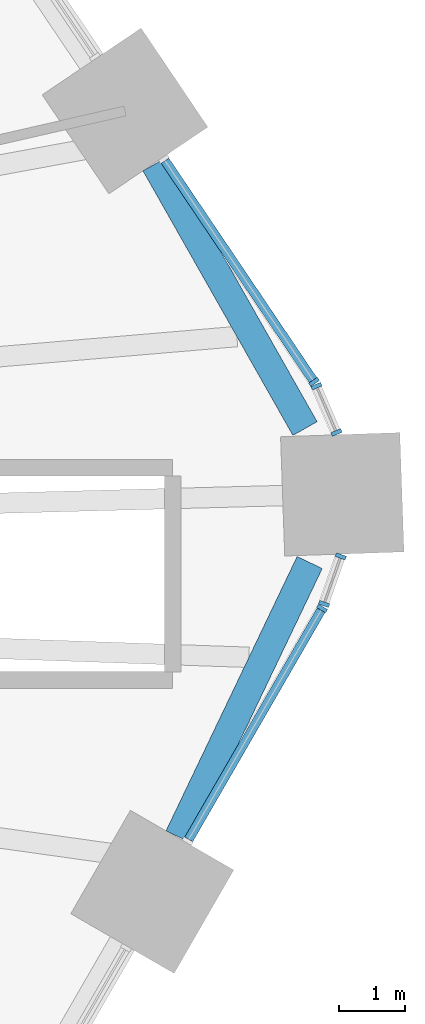
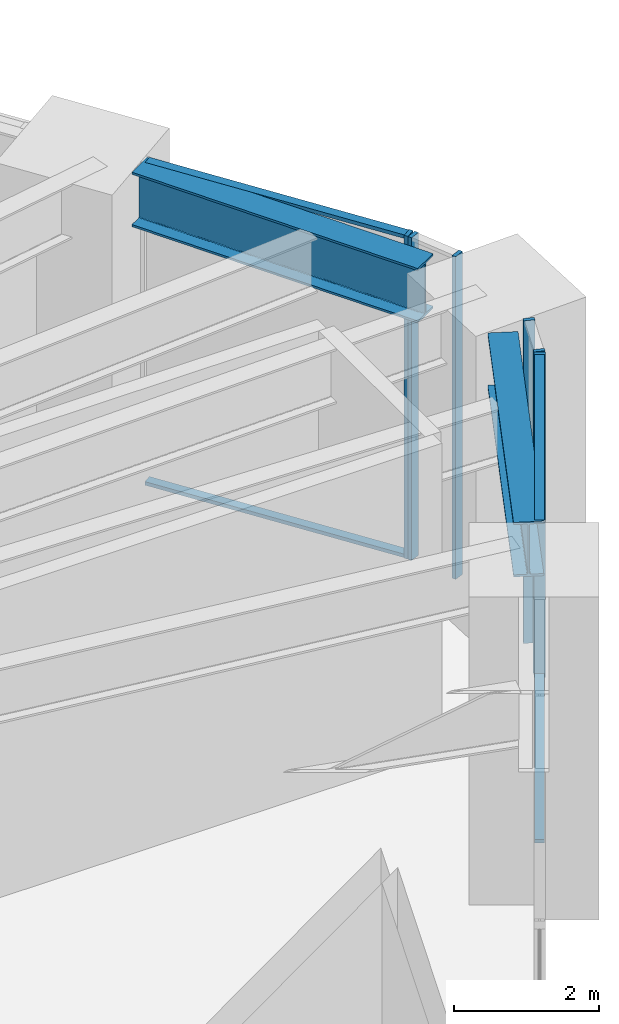
# One storey, part 10 of 25: 10 members, 2 beams, 4 elements without a shape of their own.
"""IFC4 building model written with IfcOpenShell, lengths in metres."""

from ifc_helpers import new_model, si_unit, direction, frame, origin, origin_2d, place, context, subcontext, project, spatial, rectangle, i_section, extrude, material, material_profile, profile_set, type_object, element, aggregate, save


model = new_model("IFC4")

# Units and contexts
model_context = context("Model", 3, precision=1e-05, world=origin(), true_north=direction((0.0, 1.0)))
body_context = subcontext(model_context, "Body", "Model", "MODEL_VIEW")
ifc_project = project(units=[si_unit("LENGTHUNIT", "METRE"), si_unit("AREAUNIT", "SQUARE_METRE"), si_unit("VOLUMEUNIT", "CUBIC_METRE"), si_unit("PLANEANGLEUNIT", "RADIAN"), si_unit("MASSUNIT", "GRAM", prefix="KILO")], contexts=[model_context])

# Site, building, storey
site_placement = place(None, origin())
site = spatial("IfcSite", under=ifc_project, at=site_placement, CompositionType="ELEMENT")
building_placement = place(site_placement, origin())
building = spatial("IfcBuilding", under=site, at=building_placement, Name="Tarnside Tower", CompositionType="ELEMENT")
storey_placement = place(building_placement, frame((0.0, 0.0, 26.0)))
storey = spatial("IfcBuildingStorey", under=building, at=storey_placement, Name="L04", CompositionType="ELEMENT", Elevation=26.0)

# Beams
ifc_material_1 = material(Name="Steel S460", Category="steel")
ifc_material_profile_1 = material_profile(ifc_material_1, i_section(OverallWidth=0.42041015625, OverallDepth=0.9208984375, WebThickness=0.021484375, FlangeThickness=0.03662109375, FilletRadius=0.024169921875, at=origin_2d()), Name="UB 914x419x388")
ifc_profile_set_1 = profile_set([ifc_material_profile_1], Name="Steel S460")
beam_type = type_object("IfcBeamType", Name="Perimeter girder UB 914x419x388", PredefinedType="BEAM", material=ifc_profile_set_1)
beam_1_placement = place(storey_placement, frame((31.21533203125, -3.990234375, 4.739501953125), z_axis=(0.431193650813, 0.90225940588, 0.0), x_axis=(-0.90225940588, 0.431193650813, 0.0)))
element("IfcBeam", 1, at=beam_1_placement, inside=storey, type_object=beam_type, Name="Perimeter girder M19", PredefinedType="BEAM", context=body_context, shape_type="SweptSolid", body=[
    extrude(i_section(OverallWidth=0.42041015625, OverallDepth=0.9208984375, WebThickness=0.021484375, FlangeThickness=0.03662109375, FilletRadius=0.024169921875, at=origin_2d()), origin(), (0.0, 0.0, 1.0), 4.586181640625),
])
beam_2_placement = place(storey_placement, frame((33.122314453125, 2.16796875, 4.739501953125), z_axis=(-0.493028689039, 0.870013052652, 0.0), x_axis=(-0.870013052652, -0.493028689039, 0.0)))
element("IfcBeam", 2, at=beam_2_placement, inside=storey, type_object=beam_type, Name="Perimeter girder M20", PredefinedType="BEAM", context=body_context, shape_type="SweptSolid", body=[
    extrude(i_section(OverallWidth=0.42041015625, OverallDepth=0.9208984375, WebThickness=0.021484375, FlangeThickness=0.03662109375, FilletRadius=0.024169921875, at=origin_2d()), origin(), (0.0, 0.0, 1.0), 4.58642578125),
])

# Curtain wall, member
ifc_material_2 = material(Name="Retail shopfront glazing wall", Category="glass")
curtain_wall_type = type_object("IfcCurtainWallType", Name="Retail shopfront glazing wall", PredefinedType="NOTDEFINED", material=ifc_material_2)
curtain_wall_1_placement = place(storey_placement, origin())
curtain_wall_1 = element("IfcCurtainWall", 3, at=curtain_wall_1_placement, inside=storey, type_object=curtain_wall_type, Name="Retail shopfront glazing L04 18.0", PredefinedType="NOTDEFINED")
ifc_material_3 = material(Name="Aluminium alloy 6063", Category="aluminium")
ifc_material_profile_2 = material_profile(ifc_material_3, rectangle(XDim=0.159912109375, YDim=0.06005859375, at=origin_2d()), Name="Retail shopfront glazing mullion 60 x 160")
ifc_profile_set_2 = profile_set([ifc_material_profile_2], Name="Aluminium alloy 6063")
member_type_1 = type_object("IfcMemberType", Name="Retail shopfront glazing mullion 60 x 160", PredefinedType="MULLION", material=ifc_profile_set_2)
member_1_placement = place(storey_placement, frame((33.37890625, -0.5458984375, -0.25), z_axis=(0.0, 0.0, 1.0), x_axis=(-0.866025403872, 0.499999999849, 0.0)))
member_1 = element("IfcMember", 4, at=member_1_placement, type_object=member_type_1, Name="CW2 mullion 2", PredefinedType="MULLION", context=body_context, shape_type="SweptSolid", body=[
    extrude(rectangle(XDim=0.159912109375, YDim=0.06005859375, at=origin_2d()), origin(), (0.0, 0.0, 1.0), 5.449951171875),
])

# Curtain wall, members
curtain_wall_2_placement = place(storey_placement, origin())
curtain_wall_2 = element("IfcCurtainWall", 5, at=curtain_wall_2_placement, inside=storey, type_object=curtain_wall_type, Name="Retail shopfront glazing L04 18.1", PredefinedType="NOTDEFINED")
member_2_placement = place(storey_placement, frame((33.41015625, -0.478271484375, -0.25), z_axis=(0.0, 0.0, 1.0), x_axis=(-0.943608506476, 0.331063417649, 0.0)))
member_2 = element("IfcMember", 6, at=member_2_placement, type_object=member_type_1, Name="CW2 mullion 1", PredefinedType="MULLION", context=body_context, shape_type="SweptSolid", body=[
    extrude(rectangle(XDim=0.159912109375, YDim=0.06005859375, at=origin_2d()), origin(), (0.0, 0.0, 1.0), 5.449951171875),
])
member_3_placement = place(storey_placement, frame((33.662109375, 0.240234375, -0.25), z_axis=(0.0, 0.0, 1.0), x_axis=(-0.943608506476, 0.331063417649, 0.0)))
member_3 = element("IfcMember", 7, at=member_3_placement, type_object=member_type_1, Name="CW2 mullion 2", PredefinedType="MULLION", context=body_context, shape_type="SweptSolid", body=[
    extrude(rectangle(XDim=0.159912109375, YDim=0.06005859375, at=origin_2d()), origin(), (0.0, 0.0, 1.0), 5.449951171875),
])
aggregate(curtain_wall_2, [member_2, member_3])

curtain_wall_3_placement = place(storey_placement, origin())
curtain_wall_3 = element("IfcCurtainWall", 8, at=curtain_wall_3_placement, inside=storey, type_object=curtain_wall_type, Name="Retail shopfront glazing L04 19.0", PredefinedType="NOTDEFINED")
member_4_placement = place(storey_placement, frame((33.596923828125, 2.1083984375, -0.25), z_axis=(0.0, 0.0, 1.0), x_axis=(-0.918216107, -0.396079765761, 0.0)))
member_4 = element("IfcMember", 9, at=member_4_placement, type_object=member_type_1, Name="CW2 mullion 1", PredefinedType="MULLION", context=body_context, shape_type="SweptSolid", body=[
    extrude(rectangle(XDim=0.159912109375, YDim=0.06005859375, at=origin_2d()), origin(), (0.0, 0.0, 1.0), 5.449951171875),
])
member_5_placement = place(storey_placement, frame((33.29541015625, 2.8076171875, -0.25), z_axis=(0.0, 0.0, 1.0), x_axis=(-0.918216107, -0.396079765761, 0.0)))
member_5 = element("IfcMember", 10, at=member_5_placement, type_object=member_type_1, Name="CW2 mullion 2", PredefinedType="MULLION", context=body_context, shape_type="SweptSolid", body=[
    extrude(rectangle(XDim=0.159912109375, YDim=0.06005859375, at=origin_2d()), origin(), (0.0, 0.0, 1.0), 5.449951171875),
])
aggregate(curtain_wall_3, [member_4, member_5])

# Curtain wall, member
curtain_wall_4_placement = place(storey_placement, origin())
curtain_wall_4 = element("IfcCurtainWall", 11, at=curtain_wall_4_placement, inside=storey, type_object=curtain_wall_type, Name="Retail shopfront glazing L04 19.1", PredefinedType="NOTDEFINED")
member_6_placement = place(storey_placement, frame((33.259521484375, 2.873046875, -0.25), z_axis=(0.0, 0.0, 1.0), x_axis=(-0.829037572487, -0.559192903572, 0.0)))
member_6 = element("IfcMember", 12, at=member_6_placement, type_object=member_type_1, Name="CW2 mullion 1", PredefinedType="MULLION", context=body_context, shape_type="SweptSolid", body=[
    extrude(rectangle(XDim=0.159912109375, YDim=0.06005859375, at=origin_2d()), origin(), (0.0, 0.0, 1.0), 5.449951171875),
])

# Member
ifc_material_profile_3 = material_profile(ifc_material_3, rectangle(XDim=0.139892578125, YDim=0.06005859375, at=origin_2d()), Name="Retail shopfront glazing transom 60 x 140")
ifc_profile_set_3 = profile_set([ifc_material_profile_3], Name="Aluminium alloy 6063")
member_type_2 = type_object("IfcMemberType", Name="Retail shopfront glazing transom 60 x 140", PredefinedType="USERDEFINED", material=ifc_profile_set_3)
member_7_placement = place(storey_placement, frame((31.367919921875, -4.029052734375, -0.219970703125), z_axis=(0.500033033937, 0.866006330792, 0.0), x_axis=(-0.866006330792, 0.500033033937, 0.0)))
member_7 = element("IfcMember", 13, at=member_7_placement, type_object=member_type_2, Name="CW2 transom 1.1", ObjectType="TRANSOM", PredefinedType="USERDEFINED", context=body_context, shape_type="SweptSolid", body=[
    extrude(rectangle(XDim=0.139892578125, YDim=0.06005859375, at=origin_2d()), origin(), (0.0, 0.0, 1.0), 3.991943359375),
])

member_8_placement = place(storey_placement, frame((31.367919921875, -4.029052734375, 5.169921875), z_axis=(0.500033033937, 0.866006330792, 0.0), x_axis=(-0.866006330792, 0.500033033937, 0.0)))
member_8 = element("IfcMember", 14, at=member_8_placement, type_object=member_type_2, Name="CW2 transom 1.2", ObjectType="TRANSOM", PredefinedType="USERDEFINED", context=body_context, shape_type="SweptSolid", body=[
    extrude(rectangle(XDim=0.139892578125, YDim=0.06005859375, at=origin_2d()), origin(), (0.0, 0.0, 1.0), 3.991943359375),
])

aggregate(curtain_wall_1, [member_1, member_7, member_8])

member_9_placement = place(storey_placement, frame((33.24267578125, 2.89794921875, -0.219970703125), z_axis=(-0.559194461084, 0.829036521929, 0.0), x_axis=(-0.829036521929, -0.559194461084, 0.0)))
member_9 = element("IfcMember", 15, at=member_9_placement, type_object=member_type_2, Name="CW2 transom 1.1", ObjectType="TRANSOM", PredefinedType="USERDEFINED", context=body_context, shape_type="SweptSolid", body=[
    extrude(rectangle(XDim=0.139892578125, YDim=0.06005859375, at=origin_2d()), origin(), (0.0, 0.0, 1.0), 3.99169921875),
])

member_10_placement = place(storey_placement, frame((33.24267578125, 2.89794921875, 5.169921875), z_axis=(-0.559194461084, 0.829036521929, 0.0), x_axis=(-0.829036521929, -0.559194461084, 0.0)))
member_10 = element("IfcMember", 16, at=member_10_placement, type_object=member_type_2, Name="CW2 transom 1.2", ObjectType="TRANSOM", PredefinedType="USERDEFINED", context=body_context, shape_type="SweptSolid", body=[
    extrude(rectangle(XDim=0.139892578125, YDim=0.06005859375, at=origin_2d()), origin(), (0.0, 0.0, 1.0), 3.99169921875),
])

aggregate(curtain_wall_4, [member_6, member_9, member_10])

save(model, "model.ifc")
